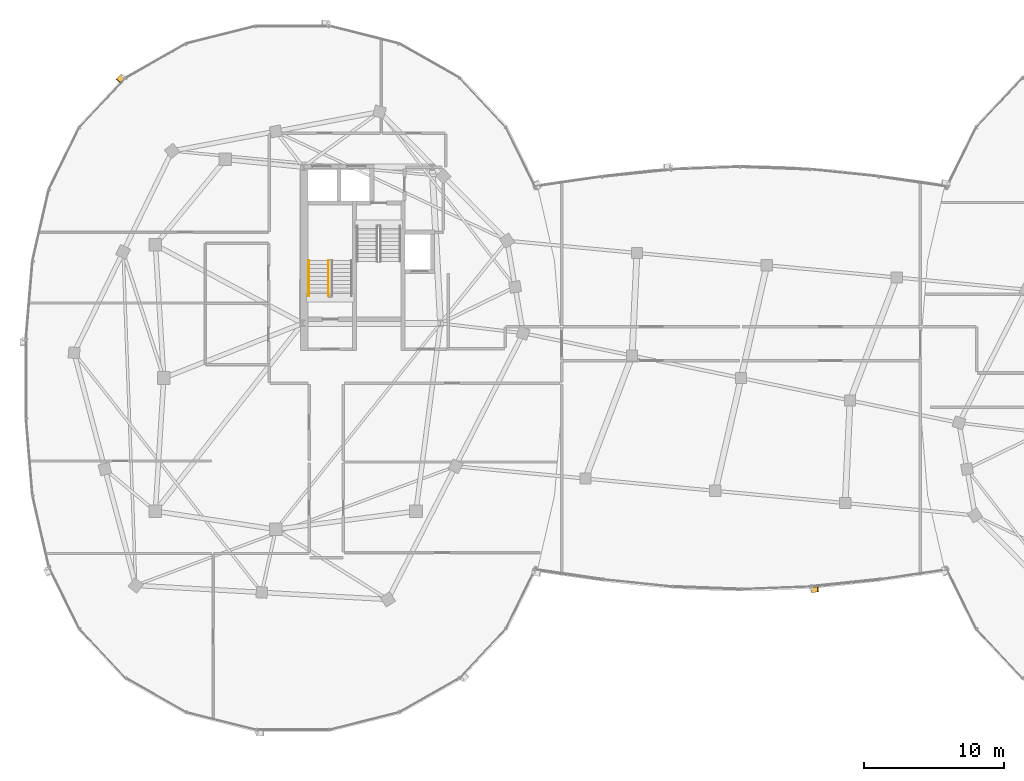
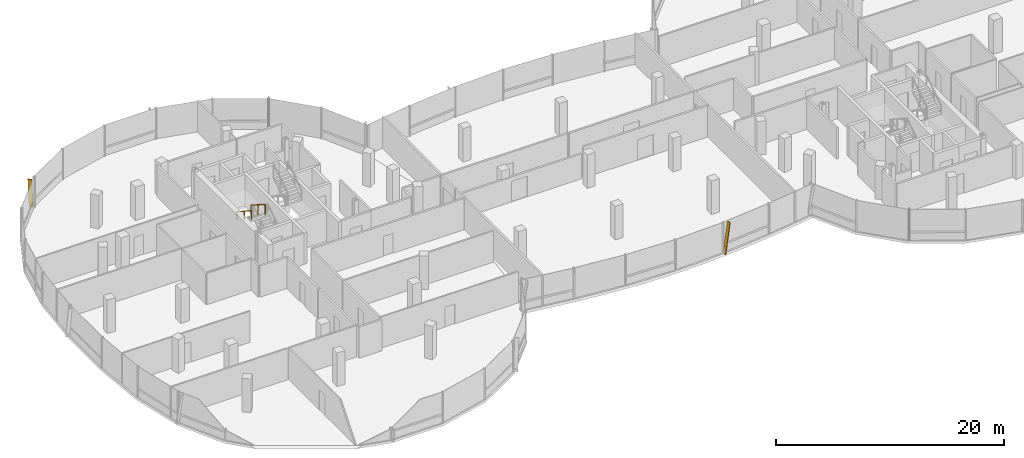
# One storey, part 22 of 25: 2 railings, 2 shading devices.
"""IFC4 building model written with IfcOpenShell, lengths in metres."""

from ifc_helpers import new_model, si_unit, direction, frame, origin, origin_2d, place, context, subcontext, project, spatial, rectangle, extrude, material, material_profile, profile_set, type_object, element, save


model = new_model("IFC4")

# Units and contexts
model_context = context("Model", 3, precision=1e-05, world=origin(), true_north=direction((0.0, 1.0)))
body_context = subcontext(model_context, "Body", "Model", "MODEL_VIEW")
ifc_project = project(units=[si_unit("LENGTHUNIT", "METRE"), si_unit("AREAUNIT", "SQUARE_METRE"), si_unit("VOLUMEUNIT", "CUBIC_METRE"), si_unit("PLANEANGLEUNIT", "RADIAN"), si_unit("MASSUNIT", "GRAM", prefix="KILO"), si_unit("THERMODYNAMICTEMPERATUREUNIT", "KELVIN"), si_unit("POWERUNIT", "WATT")], contexts=[model_context])

# Site, building, storey
site_placement = place(None, origin())
site = spatial("IfcSite", under=ifc_project, at=site_placement, CompositionType="ELEMENT")
building_placement = place(site_placement, origin())
building = spatial("IfcBuilding", under=site, at=building_placement, Name="Cundina Bronze Exchange", CompositionType="ELEMENT")
storey_placement = place(building_placement, frame((0.0, 0.0, 246.800048828125)))
storey = spatial("IfcBuildingStorey", under=building, at=storey_placement, Name="L65", CompositionType="ELEMENT", Elevation=246.800048828125)

# Railings
ifc_material_1 = material(Name="Steel ASTM A36 Painted", Category="steel")
railing_type_1 = type_object("IfcRailingType", Name="RLG-HND-900", PredefinedType="HANDRAIL", material=ifc_material_1)
railing_1_placement = place(storey_placement, frame((-30.85009765625, 8.3701171875, 1.97998046875)))
element("IfcRailing", 1, at=railing_1_placement, inside=storey, type_object=railing_type_1, Name="L65 ST-W1 stair handrail 2", PredefinedType="HANDRAIL", context=body_context, shape_type="SweptSolid", body=[
    extrude(rectangle(XDim=0.048095703125, YDim=0.048095703125, at=origin_2d()), frame((0.0, 0.0, 0.8759765625), z_axis=(0.0, -0.841199657755, 0.540724639528), x_axis=(1.0, 0.0, 0.0)), (0.0, 0.0, 1.0), 2.995849609375),
    extrude(rectangle(XDim=0.0419921875, YDim=0.0419921875, at=origin_2d()), origin(), (0.0, 0.0, 1.0), 0.851806640625),
    extrude(rectangle(XDim=0.0419921875, YDim=0.0419921875, at=origin_2d()), frame((0.0, -1.260009765625, 0.81005859375)), (0.0, 0.0, 1.0), 0.851806640625),
    extrude(rectangle(XDim=0.0419921875, YDim=0.0419921875, at=origin_2d()), frame((0.0, -2.52001953125, 1.619873046875)), (0.0, 0.0, 1.0), 0.851806640625),
])
railing_type_2 = type_object("IfcRailingType", Name="RLG-STG-1100", PredefinedType="GUARDRAIL", material=ifc_material_1)
railing_2_placement = place(storey_placement, frame((-29.449951171875, 8.3701171875, 1.97998046875)))
element("IfcRailing", 2, at=railing_2_placement, inside=storey, type_object=railing_type_2, Name="L65 ST-W1 stair guard 3", PredefinedType="GUARDRAIL", context=body_context, shape_type="SweptSolid", body=[
    extrude(rectangle(XDim=0.048095703125, YDim=0.048095703125, at=origin_2d()), frame((0.0, 0.0, 1.076171875), z_axis=(0.0, -0.841199657755, 0.540724639528), x_axis=(1.0, 0.0, 0.0)), (0.0, 0.0, 1.0), 2.995849609375),
    extrude(rectangle(XDim=0.0419921875, YDim=0.0419921875, at=origin_2d()), origin(), (0.0, 0.0, 1.0), 1.052001953125),
    extrude(rectangle(XDim=0.0419921875, YDim=0.0419921875, at=origin_2d()), frame((0.0, -1.260009765625, 0.81005859375)), (0.0, 0.0, 1.0), 1.052001953125),
    extrude(rectangle(XDim=0.0419921875, YDim=0.0419921875, at=origin_2d()), frame((0.0, -2.52001953125, 1.619873046875)), (0.0, 0.0, 1.0), 1.052001953125),
])

# Shading devices
ifc_material_2 = material(Name="Anodised Bronze Aluminium 6063-T6", Category="aluminium")
ifc_material_profile = material_profile(ifc_material_2, rectangle(XDim=0.070068359375, YDim=0.3798828125, at=origin_2d()), Name="FIN70X380", Category="aluminium")
ifc_profile_set = profile_set([ifc_material_profile], Name="Anodised Bronze Aluminium 6063-T6")
shading_device_type = type_object("IfcShadingDeviceType", Name="SHD-FIN-BRZ380", PredefinedType="USERDEFINED", material=ifc_profile_set)
shading_device_1_placement = place(storey_placement, frame((-44.122314453125, 21.55078125, 0.02001953125), z_axis=(-0.098541444371, -0.10491076507, 0.989587446926), x_axis=(0.677505727677, 0.721296959704, 0.143932918008)))
element("IfcShadingDevice", 3, at=shading_device_1_placement, inside=storey, type_object=shading_device_type, Name="L65 Diagonal Bronze Solar Fin 1", ObjectType="FIN", PredefinedType="USERDEFINED", context=body_context, shape_type="SweptSolid", body=[
    extrude(rectangle(XDim=0.070068359375, YDim=0.3798828125, at=origin_2d()), origin(), (0.0, 0.0, 1.0), 3.334716796875),
])
shading_device_2_placement = place(storey_placement, frame((5.0146484375, -15.12890625, 0.02001953125), z_axis=(0.145724273631, 0.015056932621, 0.989210657471), x_axis=(-0.983972150742, -0.101668733734, 0.14650008582)))
element("IfcShadingDevice", 4, at=shading_device_2_placement, inside=storey, type_object=shading_device_type, Name="L65 Diagonal Bronze Solar Fin 5", ObjectType="FIN", PredefinedType="USERDEFINED", context=body_context, shape_type="SweptSolid", body=[
    extrude(rectangle(XDim=0.070068359375, YDim=0.3798828125, at=origin_2d()), origin(), (0.0, 0.0, 1.0), 3.275390625),
])

save(model, "model.ifc")
